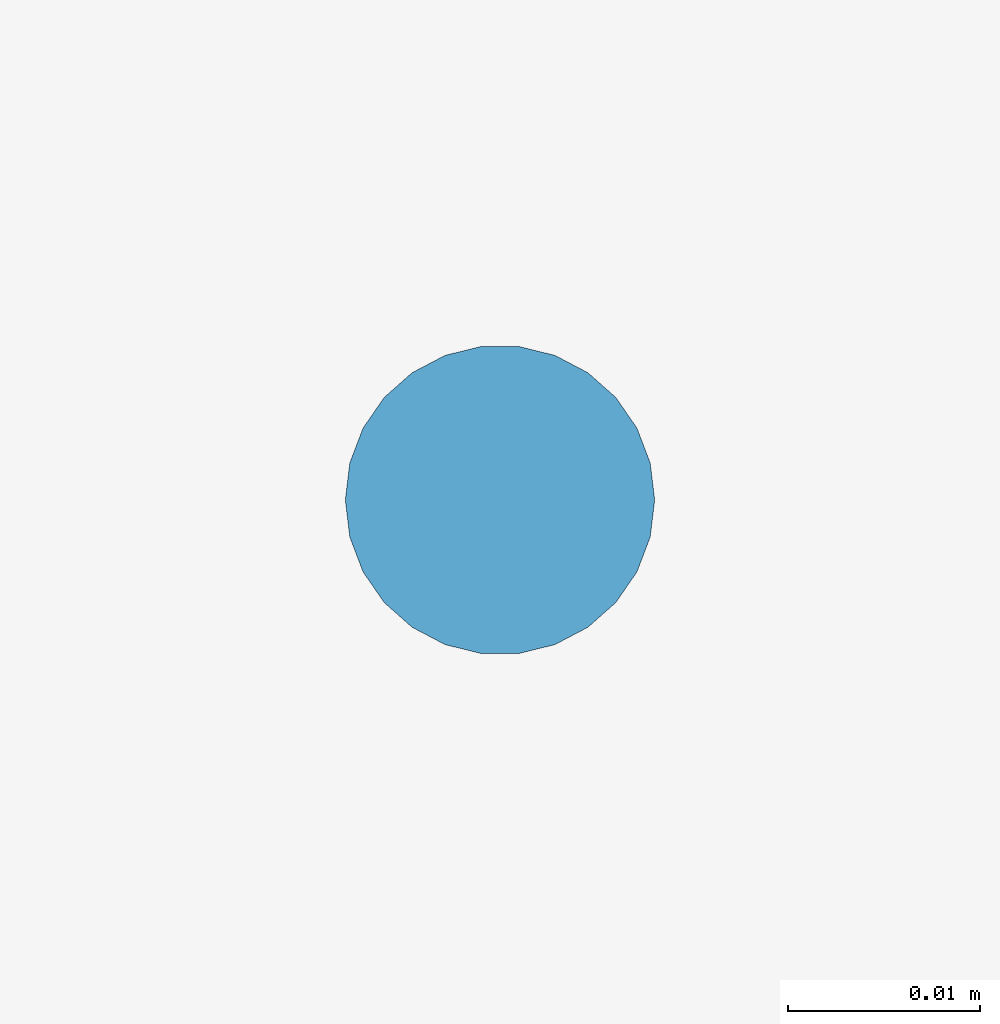
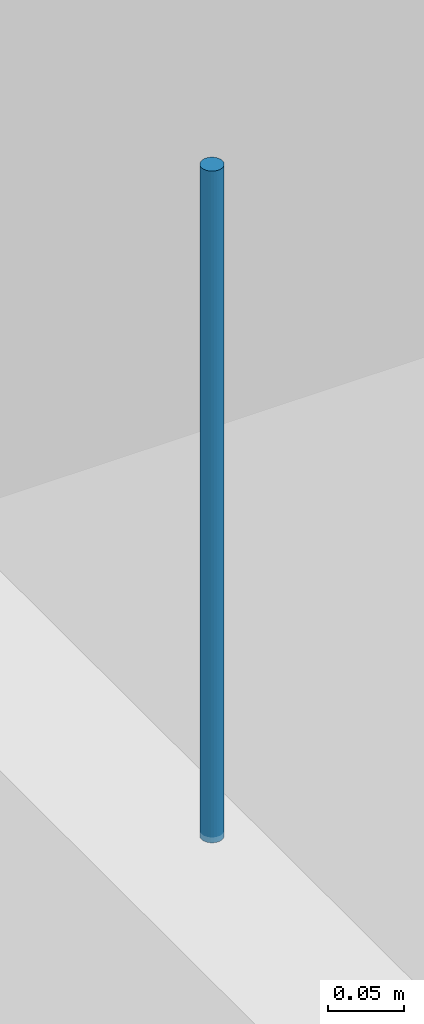
# One storey, part 71 of 82: 1 discrete accessory.
"""IFC4 building model written with IfcOpenShell, lengths in metres."""

from ifc_helpers import new_model, si_unit, direction, frame, origin, origin_2d, place, context, subcontext, project, spatial, circle, extrude, material, type_object, element, save


model = new_model("IFC4")

# Units and contexts
model_context = context("Model", 3, precision=1e-05, world=origin(), true_north=direction((0.0, 1.0)))
body_context = subcontext(model_context, "Body", "Model", "MODEL_VIEW")
ifc_project = project(units=[si_unit("LENGTHUNIT", "METRE"), si_unit("AREAUNIT", "SQUARE_METRE"), si_unit("VOLUMEUNIT", "CUBIC_METRE"), si_unit("PLANEANGLEUNIT", "RADIAN"), si_unit("MASSUNIT", "GRAM", prefix="KILO")], contexts=[model_context])

# Site, building, storey
site_placement = place(None, origin())
site = spatial("IfcSite", under=ifc_project, at=site_placement, CompositionType="ELEMENT")
building_placement = place(site_placement, origin())
building = spatial("IfcBuilding", under=site, at=building_placement, Name="Yukiwa Park Conservatory and Herbarium", CompositionType="ELEMENT")
storey_placement = place(building_placement, origin())
storey = spatial("IfcBuildingStorey", under=building, at=storey_placement, Name="L00", CompositionType="ELEMENT", Elevation=0.0)

# Discrete accessory
ifc_material = material(Name="Steel Q235B", Category="steel")
discrete_accessory_type = type_object("IfcDiscreteAccessoryType", Name="ACC-CEILING-HANGER", PredefinedType="BRACKET", material=ifc_material)
discrete_accessory_placement = place(storey_placement, frame((73.60009765625, 76.60009765625, 4.02490234375), z_axis=(0.0, 0.0, 1.0), x_axis=(1.0, 0.0, 0.0)))
element("IfcDiscreteAccessory", 1, at=discrete_accessory_placement, inside=storey, type_object=discrete_accessory_type, Name="Ceiling suspension hanger rod 3", PredefinedType="BRACKET", context=body_context, shape_type="SweptSolid", body=[
    extrude(circle(Radius=0.008056640625, at=origin_2d()), origin(), (0.0, 0.0, 1.0), 0.5400390625),
])

save(model, "model.ifc")
